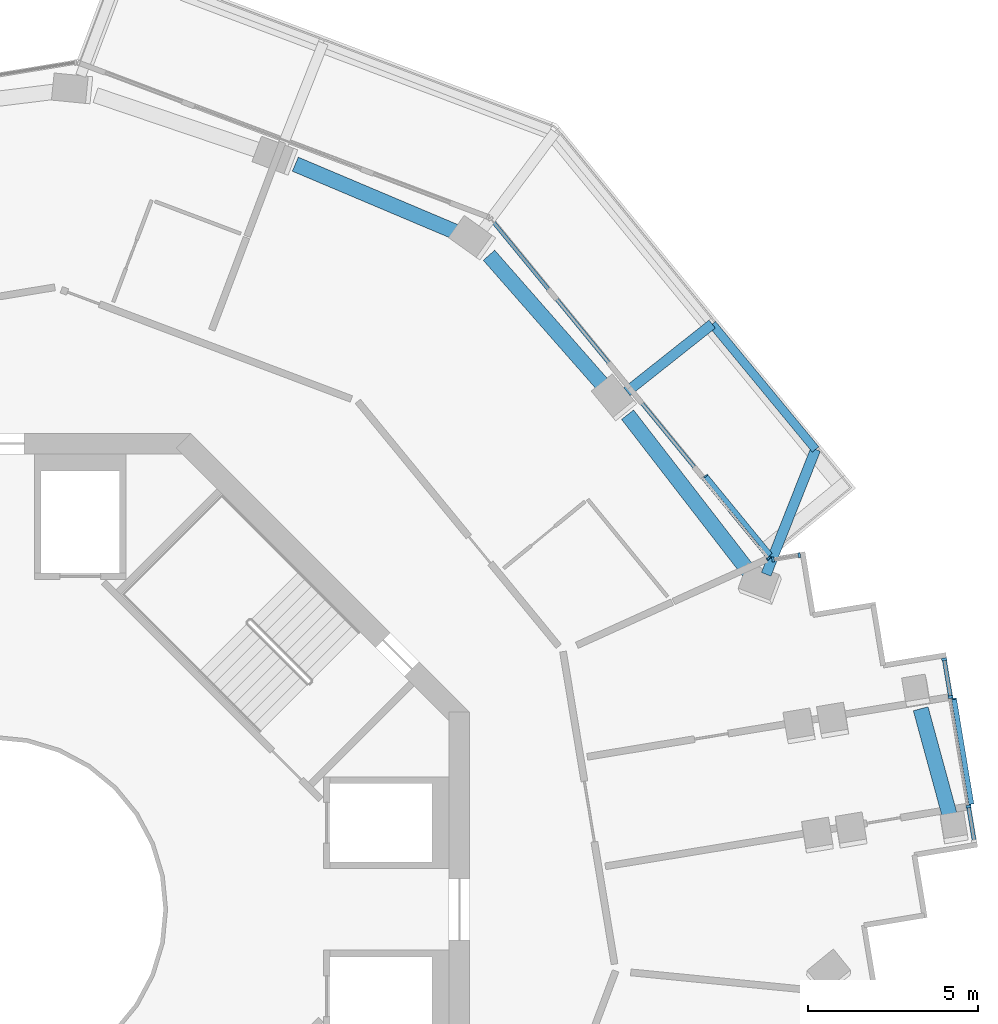
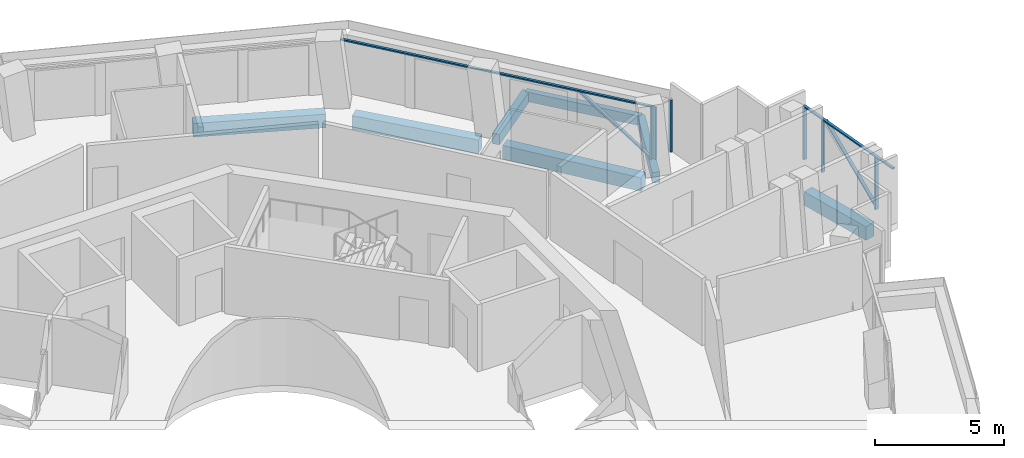
# One storey, part 8 of 21: 10 members, 7 beams, 3 elements without a shape of their own.
"""IFC4 building model written with IfcOpenShell, lengths in metres."""

from ifc_helpers import new_model, si_unit, direction, frame, origin, origin_2d, place, context, subcontext, project, spatial, rectangle, extrude, material, layer, layer_set, material_profile, profile_set, type_object, element, aggregate, save


model = new_model("IFC4")

# Units and contexts
model_context = context("Model", 3, precision=1e-05, world=origin(), true_north=direction((0.0, 1.0)))
body_context = subcontext(model_context, "Body", "Model", "MODEL_VIEW")
ifc_project = project(units=[si_unit("LENGTHUNIT", "METRE"), si_unit("AREAUNIT", "SQUARE_METRE"), si_unit("VOLUMEUNIT", "CUBIC_METRE"), si_unit("PLANEANGLEUNIT", "RADIAN"), si_unit("MASSUNIT", "GRAM", prefix="KILO")], contexts=[model_context])

# Site, building, storey
site_placement = place(None, origin())
site = spatial("IfcSite", under=ifc_project, at=site_placement, CompositionType="ELEMENT")
building_placement = place(site_placement, origin())
building = spatial("IfcBuilding", under=site, at=building_placement, Name="Verdalira Terraces Hotel", CompositionType="ELEMENT")
storey_placement = place(building_placement, frame((0.0, 0.0, 194.0)))
storey = spatial("IfcBuildingStorey", under=building, at=storey_placement, Name="L47", CompositionType="ELEMENT", Elevation=194.0)

# Beams
ifc_material_1 = material(Name="Concrete C40", Category="concrete")
ifc_material_profile_1 = material_profile(ifc_material_1, rectangle(XDim=0.300049, YDim=0.5, at=origin_2d()), Name="RC 300X500")
ifc_profile_set_1 = profile_set([ifc_material_profile_1], Name="Concrete C40")
beam_type_1 = type_object("IfcBeamType", Name="Balcony cantilever beam RC 300X500 C40", PredefinedType="BEAM", material=ifc_profile_set_1)
beam_1_placement = place(storey_placement, frame((22.72168, 9.854248, -0.560059), z_axis=(0.368127489, 0.929775323, 0.0), x_axis=(-0.929775323, 0.368127489, 0.0)))
element("IfcBeam", 1, at=beam_1_placement, inside=storey, type_object=beam_type_1, Name="Balcony cantilever beam R39-1", PredefinedType="BEAM", context=body_context, shape_type="SweptSolid", body=[
    extrude(rectangle(XDim=0.300049, YDim=0.5, at=origin_2d()), origin(), (0.0, 0.0, 1.0), 3.949951),
])
beam_2_placement = place(storey_placement, frame((18.627686, 15.225098, -0.560059), z_axis=(0.783696133, 0.621144404, 0.0), x_axis=(-0.621144404, 0.783696133, 0.0)))
element("IfcBeam", 2, at=beam_2_placement, inside=storey, type_object=beam_type_1, Name="Balcony cantilever beam R39-2", PredefinedType="BEAM", context=body_context, shape_type="SweptSolid", body=[
    extrude(rectangle(XDim=0.300049, YDim=0.5, at=origin_2d()), origin(), (0.0, 0.0, 1.0), 3.200684),
])
ifc_material_2 = material(Name="Concrete C40", Category="concrete")
ifc_material_profile_2 = material_profile(ifc_material_2, rectangle(XDim=0.25, YDim=0.449951, at=origin_2d()), Name="RC 250X450")
ifc_profile_set_2 = profile_set([ifc_material_profile_2], Name="Concrete C40")
beam_type_2 = type_object("IfcBeamType", Name="Balcony edge beam RC 250X450 C40", PredefinedType="BEAM", material=ifc_profile_set_2)
beam_3_placement = place(storey_placement, frame((24.175781, 13.526855, -0.534912), z_axis=(-0.636210398, 0.771515605, 0.0), x_axis=(-0.771515605, -0.636210398, 0.0)))
element("IfcBeam", 3, at=beam_3_placement, inside=storey, type_object=beam_type_2, Name="Balcony edge beam R39-1", PredefinedType="BEAM", context=body_context, shape_type="SweptSolid", body=[
    extrude(rectangle(XDim=0.25, YDim=0.449951, at=origin_2d()), origin(), (0.0, 0.0, 1.0), 4.778076),
])

# Curtain wall, members
ifc_material_3 = material(Name="Clear glass", Category="glass")
ifc_layer_1 = layer(ifc_material_3, 0.14990234375)
ifc_layer_set_1 = layer_set([ifc_layer_1], Name="CW1 curtain wall")
curtain_wall_type_1 = type_object("IfcCurtainWallType", Name="CW1 curtain wall", PredefinedType="NOTDEFINED", material=ifc_layer_set_1)
curtain_wall_1_placement = place(storey_placement, origin())
curtain_wall_1 = element("IfcCurtainWall", 4, at=curtain_wall_1_placement, inside=storey, type_object=curtain_wall_type_1, Name="CW1 curtain wall L47 edge 39", PredefinedType="NOTDEFINED")
ifc_material_4 = material(Name="Terracotta frame", Category="masonry")
ifc_material_profile_3 = material_profile(ifc_material_4, rectangle(XDim=0.060059, YDim=0.149902, at=origin_2d()), Name="MU 60x150")
ifc_profile_set_3 = profile_set([ifc_material_profile_3], Name="Terracotta frame")
member_type_1 = type_object("IfcMemberType", Name="CW1 mullion 60x150", PredefinedType="MULLION", material=ifc_profile_set_3)
member_1_placement = place(storey_placement, frame((22.80127, 10.334473, 0.0), z_axis=(0.0, 0.0, 1.0), x_axis=(-0.634190889, 0.773176511, 0.0)))
member_1 = element("IfcMember", 5, at=member_1_placement, type_object=member_type_1, Name="CW1 mullion", PredefinedType="MULLION", context=body_context, shape_type="SweptSolid", body=[
    extrude(rectangle(XDim=0.060059, YDim=0.149902, at=origin_2d()), origin(), (0.0, 0.0, 1.0), 2.475098),
])
ifc_material_5 = material(Name="Terracotta frame", Category="masonry")
ifc_material_profile_4 = material_profile(ifc_material_5, rectangle(XDim=0.110107, YDim=0.064941, at=origin_2d()), Name="TR 65x110")
ifc_profile_set_4 = profile_set([ifc_material_profile_4], Name="Terracotta frame")
member_type_2 = type_object("IfcMemberType", Name="CW1 transom 65x110", PredefinedType="USERDEFINED", material=ifc_profile_set_4)
member_2_placement = place(storey_placement, frame((22.820312, 10.311279, 2.507568), z_axis=(-0.634198532, 0.773170241, 0.0), x_axis=(-0.773170241, -0.634198532, 0.0)))
member_2 = element("IfcMember", 6, at=member_2_placement, type_object=member_type_2, Name="CW1 transom", ObjectType="TRANSOM", PredefinedType="USERDEFINED", context=body_context, shape_type="SweptSolid", body=[
    extrude(rectangle(XDim=0.110107, YDim=0.064941, at=origin_2d()), origin(), (0.0, 0.0, 1.0), 12.959717),
])

ifc_material_6 = material(Name="Clear glass", Category="glass")
ifc_layer_2 = layer(ifc_material_6, 0.14990234375)
ifc_layer_set_2 = layer_set([ifc_layer_2], Name="CW2 curtain wall")
curtain_wall_type_2 = type_object("IfcCurtainWallType", Name="CW2 curtain wall", PredefinedType="NOTDEFINED", material=ifc_layer_set_2)
curtain_wall_2_placement = place(storey_placement, origin())
curtain_wall_2 = element("IfcCurtainWall", 7, at=curtain_wall_2_placement, inside=storey, type_object=curtain_wall_type_2, Name="CW2 curtain wall L47 edge 38", PredefinedType="NOTDEFINED")
ifc_material_7 = material(Name="Terracotta frame", Category="masonry")
ifc_material_profile_5 = material_profile(ifc_material_7, rectangle(XDim=0.070068, YDim=0.149902, at=origin_2d()), Name="MU 70x150")
ifc_profile_set_5 = profile_set([ifc_material_profile_5], Name="Terracotta frame")
member_type_3 = type_object("IfcMemberType", Name="CW2 mullion 70x150", PredefinedType="MULLION", material=ifc_profile_set_5)
member_3_placement = place(storey_placement, frame((23.69458, 10.417236, 0.0), z_axis=(0.0, 0.0, 1.0), x_axis=(-0.986685944, -0.162637165, 0.0)))
member_3 = element("IfcMember", 8, at=member_3_placement, type_object=member_type_3, Name="CW2 mullion", PredefinedType="MULLION", context=body_context, shape_type="SweptSolid", body=[
    extrude(rectangle(XDim=0.070068, YDim=0.149902, at=origin_2d()), origin(), (0.0, 0.0, 1.0), 2.475098),
])
member_4_placement = place(storey_placement, frame((22.925049, 10.290527, 0.0), z_axis=(0.0, 0.0, 1.0), x_axis=(-0.986685944, -0.162637165, 0.0)))
member_4 = element("IfcMember", 9, at=member_4_placement, type_object=member_type_3, Name="CW2 mullion", PredefinedType="MULLION", context=body_context, shape_type="SweptSolid", body=[
    extrude(rectangle(XDim=0.070068, YDim=0.149902, at=origin_2d()), origin(), (0.0, 0.0, 1.0), 2.475098),
])
aggregate(curtain_wall_2, [member_3, member_4])

ifc_material_8 = material(Name="Clear glass", Category="glass")
ifc_layer_3 = layer(ifc_material_8, 0.14990234375)
ifc_layer_set_3 = layer_set([ifc_layer_3], Name="CW3 curtain wall")
curtain_wall_type_3 = type_object("IfcCurtainWallType", Name="CW3 curtain wall", PredefinedType="NOTDEFINED", material=ifc_layer_set_3)
curtain_wall_3_placement = place(storey_placement, origin())
curtain_wall_3 = element("IfcCurtainWall", 10, at=curtain_wall_3_placement, inside=storey, type_object=curtain_wall_type_3, Name="CW3 curtain wall L47 edge 33", PredefinedType="NOTDEFINED")
ifc_material_9 = material(Name="Terracotta frame", Category="masonry")
ifc_material_profile_6 = material_profile(ifc_material_9, rectangle(XDim=0.080078, YDim=0.149902, at=origin_2d()), Name="MU 80x150")
ifc_profile_set_6 = profile_set([ifc_material_profile_6], Name="Terracotta frame")
member_type_4 = type_object("IfcMemberType", Name="CW3 mullion 80x150", PredefinedType="MULLION", material=ifc_profile_set_6)
member_5_placement = place(storey_placement, frame((28.672607, 3.027832, 0.0), z_axis=(0.0, 0.0, 1.0), x_axis=(-0.162637165, 0.986685944, 0.0)))
member_5 = element("IfcMember", 11, at=member_5_placement, type_object=member_type_4, Name="CW3 mullion", PredefinedType="MULLION", context=body_context, shape_type="SweptSolid", body=[
    extrude(rectangle(XDim=0.080078, YDim=0.149902, at=origin_2d()), origin(), (0.0, 0.0, 1.0), 2.475098),
])
member_6_placement = place(storey_placement, frame((28.141602, 6.249023, 0.0), z_axis=(0.0, 0.0, 1.0), x_axis=(-0.162637165, 0.986685944, 0.0)))
member_6 = element("IfcMember", 12, at=member_6_placement, type_object=member_type_4, Name="CW3 mullion", PredefinedType="MULLION", context=body_context, shape_type="SweptSolid", body=[
    extrude(rectangle(XDim=0.080078, YDim=0.149902, at=origin_2d()), origin(), (0.0, 0.0, 1.0), 2.475098),
])
member_7_placement = place(storey_placement, frame((27.959473, 7.355225, 0.0), z_axis=(0.0, 0.0, 1.0), x_axis=(-0.162637165, 0.986685944, 0.0)))
member_7 = element("IfcMember", 13, at=member_7_placement, type_object=member_type_4, Name="CW3 mullion", PredefinedType="MULLION", context=body_context, shape_type="SweptSolid", body=[
    extrude(rectangle(XDim=0.080078, YDim=0.149902, at=origin_2d()), origin(), (0.0, 0.0, 1.0), 2.475098),
])
ifc_material_10 = material(Name="Terracotta frame", Category="masonry")
ifc_material_profile_7 = material_profile(ifc_material_10, rectangle(XDim=0.120117, YDim=0.064941, at=origin_2d()), Name="TR 65x120")
ifc_profile_set_7 = profile_set([ifc_material_profile_7], Name="Terracotta frame")
member_type_5 = type_object("IfcMemberType", Name="CW3 transom 65x120", PredefinedType="USERDEFINED", material=ifc_profile_set_7)
member_8_placement = place(storey_placement, frame((28.847412, 1.967773, 2.507568), z_axis=(-0.162642351, 0.986685089, 0.0), x_axis=(-0.986685089, -0.162642351, 0.0)))
member_8 = element("IfcMember", 14, at=member_8_placement, type_object=member_type_5, Name="CW3 transom", ObjectType="TRANSOM", PredefinedType="USERDEFINED", context=body_context, shape_type="SweptSolid", body=[
    extrude(rectangle(XDim=0.120117, YDim=0.064941, at=origin_2d()), origin(), (0.0, 0.0, 1.0), 5.5),
])
ifc_material_11 = material(Name="Terracotta frame", Category="masonry")
ifc_material_profile_8 = material_profile(ifc_material_11, rectangle(XDim=0.149902, YDim=0.060059, at=origin_2d()), Name="GB 60x150")
ifc_profile_set_8 = profile_set([ifc_material_profile_8], Name="Terracotta frame")
member_type_6 = type_object("IfcMemberType", Name="Diagonal glazing bar 60x150", PredefinedType="USERDEFINED", material=ifc_profile_set_8)
member_9_placement = place(storey_placement, frame((28.752686, 3.114014, 0.024902), z_axis=(-0.128424105, 0.779069172, 0.613643606), x_axis=(-0.986684161, -0.162647984, 0.0)))
member_9 = element("IfcMember", 15, at=member_9_placement, type_object=member_type_6, Name="Diagonal glazing bar", ObjectType="GLAZING BAR", PredefinedType="USERDEFINED", context=body_context, shape_type="SweptSolid", body=[
    extrude(rectangle(XDim=0.149902, YDim=0.060059, at=origin_2d()), origin(), (0.0, 0.0, 1.0), 3.952393),
])
aggregate(curtain_wall_3, [member_5, member_6, member_7, member_8, member_9])

# Member
member_10_placement = place(storey_placement, frame((22.831787, 10.437256, 0.024414), z_axis=(-0.491779558, 0.599602544, 0.63137125), x_axis=(-0.773201099, -0.63416091, 0.0)))
member_10 = element("IfcMember", 16, at=member_10_placement, type_object=member_type_6, Name="Diagonal glazing bar", ObjectType="GLAZING BAR", PredefinedType="USERDEFINED", context=body_context, shape_type="SweptSolid", body=[
    extrude(rectangle(XDim=0.149902, YDim=0.060059, at=origin_2d()), origin(), (0.0, 0.0, 1.0), 3.842529),
])

aggregate(curtain_wall_1, [member_1, member_2, member_10])

# Beams
ifc_material_12 = material(Name="Concrete C50", Category="concrete")
ifc_material_profile_9 = material_profile(ifc_material_12, rectangle(XDim=0.449951, YDim=0.649902, at=origin_2d()), Name="RC 450X650")
ifc_profile_set_9 = profile_set([ifc_material_profile_9], Name="Concrete C50")
beam_type_3 = type_object("IfcBeamType", Name="Spandrel beam RC 450X650 C50", PredefinedType="SPANDREL", material=ifc_profile_set_9)
beam_4_placement = place(storey_placement, frame((28.1604, 2.615967, -0.63501), z_axis=(-0.262577384, 0.964910938, 0.0), x_axis=(-0.964910938, -0.262577384, 0.0)))
element("IfcBeam", 17, at=beam_4_placement, inside=storey, type_object=beam_type_3, Name="Spandrel beam B17", PredefinedType="SPANDREL", context=body_context, shape_type="SweptSolid", body=[
    extrude(rectangle(XDim=0.449951, YDim=0.649902, at=origin_2d()), origin(), (0.0, 0.0, 1.0), 3.404785),
])
beam_5_placement = place(storey_placement, frame((22.201416, 9.94873, -0.63501), z_axis=(-0.611553865, 0.7912028, 0.0), x_axis=(-0.7912028, -0.611553865, 0.0)))
element("IfcBeam", 18, at=beam_5_placement, inside=storey, type_object=beam_type_3, Name="Spandrel beam B18", PredefinedType="SPANDREL", context=body_context, shape_type="SweptSolid", body=[
    extrude(rectangle(XDim=0.449951, YDim=0.649902, at=origin_2d()), origin(), (0.0, 0.0, 1.0), 5.813721),
])
beam_6_placement = place(storey_placement, frame((17.994385, 15.338379, -0.63501), z_axis=(-0.65979599, 0.751444776, 0.0), x_axis=(-0.751444776, -0.65979599, 0.0)))
element("IfcBeam", 19, at=beam_6_placement, inside=storey, type_object=beam_type_3, Name="Spandrel beam B19", PredefinedType="SPANDREL", context=body_context, shape_type="SweptSolid", body=[
    extrude(rectangle(XDim=0.449951, YDim=0.649902, at=origin_2d()), origin(), (0.0, 0.0, 1.0), 5.189209),
])
beam_7_placement = place(storey_placement, frame((13.657959, 19.894287, -0.63501), z_axis=(-0.921096346, 0.389334716, 0.0), x_axis=(-0.389334716, -0.921096346, 0.0)))
element("IfcBeam", 20, at=beam_7_placement, inside=storey, type_object=beam_type_3, Name="Spandrel beam B20", PredefinedType="SPANDREL", context=body_context, shape_type="SweptSolid", body=[
    extrude(rectangle(XDim=0.449951, YDim=0.649902, at=origin_2d()), origin(), (0.0, 0.0, 1.0), 5.192139),
])

save(model, "model.ifc")
